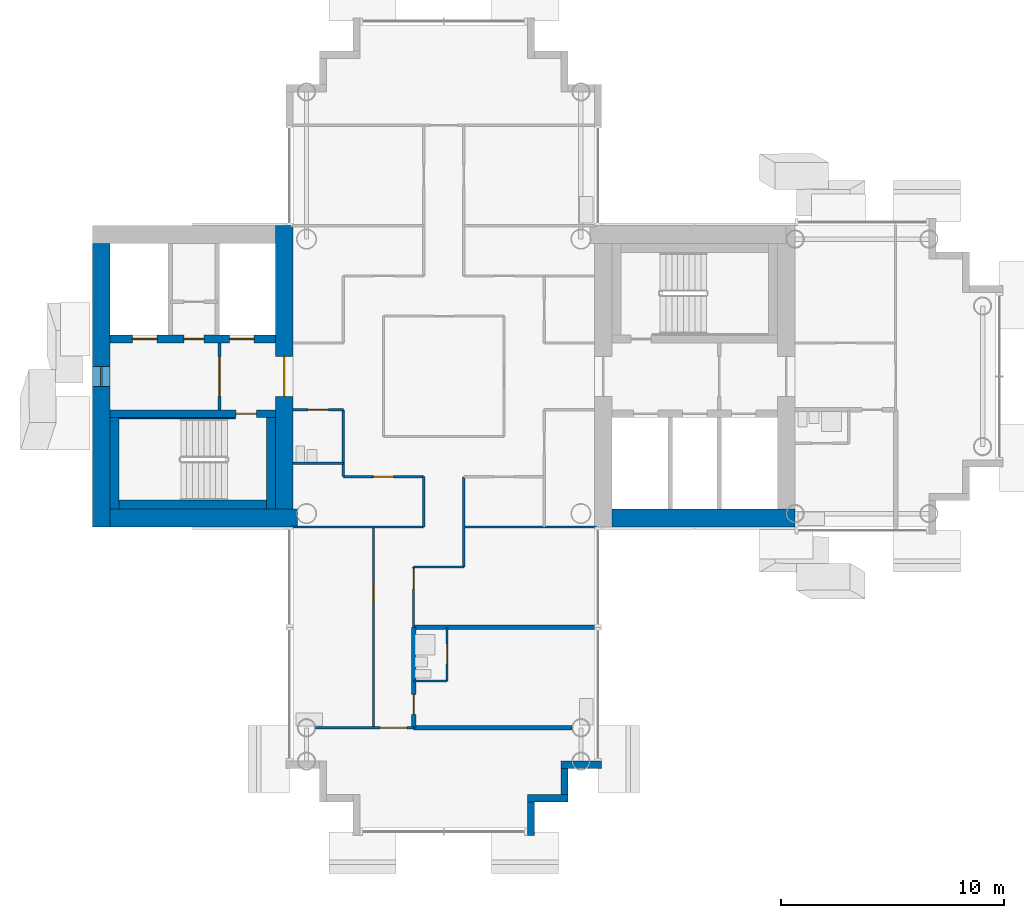
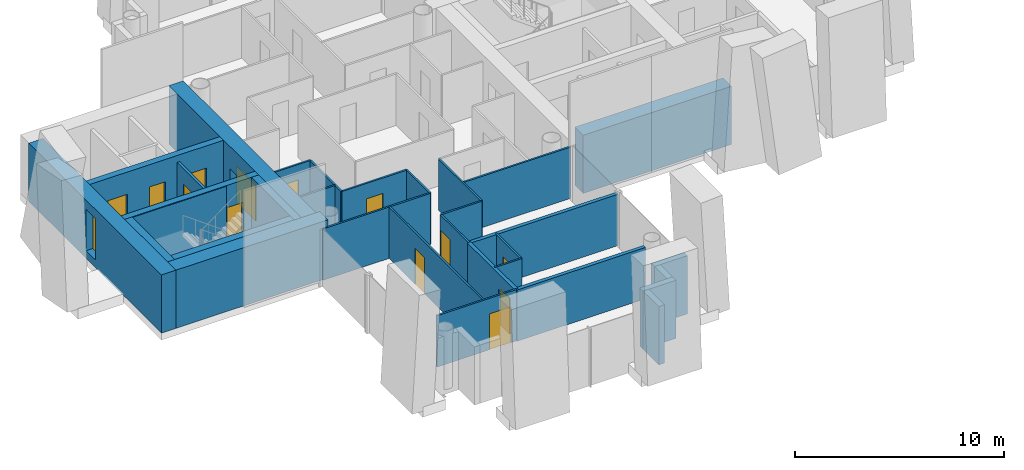
# One storey, part 6 of 18: 32 walls, 13 doors, 1 window, 14 openings.
"""IFC4 building model written with IfcOpenShell, lengths in metres."""

import ifcopenshell
import ifcopenshell.guid

model = None  # the IFC model being written
_history = None  # IfcOwnerHistory: only IFC2X3 demands one
_inside = {}  # id of a spatial element -> (the spatial element, [elements in it])
_under = {}  # id of a project, library or spatial element -> (it, [spatial elements below it])
_declared = {}  # id of a project -> (the project, [libraries it declares])
_typed = {}  # id of a type object -> (the type object, [elements of that type])
_made_of = {}  # id of a material, layer set ... -> (it, [elements and type objects made of it])


def new_model(schema):
    """Start an empty IFC model of exactly this schema.

    Asked for "IFC4X3", IfcOpenShell would pick the latest addendum, in which some entities
    have other attributes; the version numbers below select the first issue.
    IFC2X3 requires an IfcOwnerHistory on every rooted entity: one is made here for all.
    """
    global model, _history
    if schema == "IFC4X3":
        model = ifcopenshell.file(schema_version=(4, 3, 0, 0))
    else:
        model = ifcopenshell.file(schema=schema)
    _inside.clear()
    _under.clear()
    _declared.clear()
    _typed.clear()
    _made_of.clear()
    _history = None
    if model.schema == "IFC2X3":
        org = make("IfcOrganization", Name="unknown")
        user = make(
            "IfcPersonAndOrganization",
            ThePerson=make("IfcPerson", FamilyName="unknown"),
            TheOrganization=org,
        )
        app = make(
            "IfcApplication",
            ApplicationDeveloper=org,
            Version="unknown",
            ApplicationFullName="unknown",
            ApplicationIdentifier="unknown",
        )
        _history = make(
            "IfcOwnerHistory",
            OwningUser=user,
            OwningApplication=app,
            ChangeAction="ADDED",
            CreationDate=0,
        )
    return model


def make(cls, **values):
    """One entity of the class cls with the attributes given. An attribute that is None is left unset."""
    return model.create_entity(
        cls, **{name: value for name, value in values.items() if value is not None}
    )


def rooted(cls, **values):
    """An entity with a GlobalId (a new one), such as an element, a storey or a relation."""
    return make(cls, GlobalId=ifcopenshell.guid.new(), OwnerHistory=_history, **values)


def si_unit(unit_type, name, prefix=None):
    """IfcSIUnit, for example si_unit("LENGTHUNIT", "METRE", prefix="MILLI")."""
    return make("IfcSIUnit", UnitType=unit_type, Prefix=prefix, Name=name)


def assignment(units):
    """IfcUnitAssignment: the units of a project."""
    return None if units is None else make("IfcUnitAssignment", Units=units)


def point(xyz):
    """IfcCartesianPoint."""
    return None if xyz is None else make("IfcCartesianPoint", Coordinates=xyz)


def direction(xyz):
    """IfcDirection."""
    return None if xyz is None else make("IfcDirection", DirectionRatios=xyz)


def frame(location, z_axis=None, x_axis=None):
    """IfcAxis2Placement3D, a coordinate frame: its origin and axes. An axis left out is left unset."""
    return make(
        "IfcAxis2Placement3D",
        Location=point(location),
        Axis=direction(z_axis),
        RefDirection=direction(x_axis),
    )


def frame_2d(location, x_axis=None):
    """IfcAxis2Placement2D, a coordinate frame in the plane: its origin and x axis."""
    return make(
        "IfcAxis2Placement2D", Location=point(location), RefDirection=direction(x_axis)
    )


def origin():
    """The frame at (0, 0, 0) with its axes left unset."""
    return frame((0.0, 0.0, 0.0))


def place(relative_to, where):
    """IfcLocalPlacement: puts the frame where relative to a parent placement (None: the world)."""
    return make(
        "IfcLocalPlacement", PlacementRelTo=relative_to, RelativePlacement=where
    )


def context(
    kind, dimensions, precision=None, world=None, true_north=None, identifier=None
):
    """IfcGeometricRepresentationContext, for example the 3D "Model" context."""
    return make(
        "IfcGeometricRepresentationContext",
        ContextIdentifier=identifier,
        ContextType=kind,
        CoordinateSpaceDimension=dimensions,
        Precision=precision,
        WorldCoordinateSystem=world,
        TrueNorth=true_north,
    )


def subcontext(parent, identifier, kind, view, scale=None):
    """IfcGeometricRepresentationSubContext, for example "Body" below "Model"."""
    return make(
        "IfcGeometricRepresentationSubContext",
        ContextIdentifier=identifier,
        ContextType=kind,
        ParentContext=parent,
        TargetScale=scale,
        TargetView=view,
    )


def project(units=None, contexts=None):
    """IfcProject with its units and contexts."""
    return rooted(
        "IfcProject",
        Name="project",
        RepresentationContexts=contexts,
        UnitsInContext=assignment(units),
    )


def spatial(cls, under=None, at=None, **own):
    """A site, building, storey or space (cls), placed at a placement, below another one or the project."""
    s = rooted(cls, ObjectPlacement=at, **own)
    if under is not None:
        _under.setdefault(under.id(), (under, []))[1].append(s)
    return s


def profile(cls, at=None, kind="AREA", **sizes):
    """A parametric profile (cls). Its sizes go by their IFC names, for example OverallWidth=200.0."""
    return make(cls, ProfileType=kind, Position=at, **sizes)


def rectangle(**sizes):
    """IfcRectangleProfileDef."""
    return profile("IfcRectangleProfileDef", **sizes)


def extrude(swept, where, along, depth):
    """IfcExtrudedAreaSolid: the profile swept, set in the frame where, extruded along a direction by depth."""
    return make(
        "IfcExtrudedAreaSolid",
        SweptArea=swept,
        Position=where,
        ExtrudedDirection=direction(along),
        Depth=depth,
    )


def shape(context_of_items, identifier, shape_type, items):
    """IfcShapeRepresentation: the items that make up one representation, for example the "Body"."""
    return make(
        "IfcShapeRepresentation",
        ContextOfItems=context_of_items,
        RepresentationIdentifier=identifier,
        RepresentationType=shape_type,
        Items=items,
    )


def material(Name=None, Category=None):
    """IfcMaterial."""
    return make("IfcMaterial", Name=Name, Category=Category)


def layer(
    of_material, thickness, ventilated=None, Name=None, Category=None, Priority=None
):
    """IfcMaterialLayer: one layer of a wall or slab, of a material (None: an air gap)."""
    return make(
        "IfcMaterialLayer",
        Material=of_material,
        LayerThickness=thickness,
        IsVentilated=ventilated,
        Name=Name,
        Category=Category,
        Priority=Priority,
    )


def layer_set(layers, Name=None):
    """IfcMaterialLayerSet."""
    return make("IfcMaterialLayerSet", MaterialLayers=layers, LayerSetName=Name)


def made_of(thing, what):
    """Note that an element or type object is made of a material, layer set ...; save() writes the relation."""
    if what is not None:
        _made_of.setdefault(what.id(), (what, []))[1].append(thing)
    return thing


def type_object(cls, material=None, **own):
    """A type object (cls), such as IfcWallType, which elements share."""
    return made_of(rooted(cls, **own), material)


def element(
    cls,
    number,
    at=None,
    inside=None,
    cuts=None,
    type_object=None,
    material=None,
    context=None,
    identifier="Body",
    shape_type=None,
    held_by="IfcProductDefinitionShape",
    body=None,
    shapes=None,
    **own,
):
    """One element of the class cls, such as IfcWall. Its Tag is "e" and its number.

    at: its placement. inside: the storey or other place that contains it. cuts: it is an
    opening in that element (IfcRelVoidsElement). A single representation is given by context,
    identifier, shape_type and body (its items); several are given by shapes. held_by: the class
    of the entity that holds the representations. save() writes the other relations.
    """
    e = rooted(cls, Tag="e%d" % number, ObjectPlacement=at, **own)
    if body is not None:
        shapes = [shape(context, identifier, shape_type, body)]
    if shapes is not None:
        e.Representation = make(held_by, Representations=shapes)
    if inside is not None:
        _inside.setdefault(inside.id(), (inside, []))[1].append(e)
    if cuts is not None:
        rooted(
            "IfcRelVoidsElement", RelatingBuildingElement=cuts, RelatedOpeningElement=e
        )
    if type_object is not None:
        _typed.setdefault(type_object.id(), (type_object, []))[1].append(e)
    return made_of(e, material)


def fill(opening, filler):
    """IfcRelFillsElement: the door or window that sits in an opening."""
    return rooted(
        "IfcRelFillsElement",
        RelatingOpeningElement=opening,
        RelatedBuildingElement=filler,
    )


def aggregate(whole, parts):
    """IfcRelAggregates: a whole, such as a stair, and the parts it consists of."""
    return rooted("IfcRelAggregates", RelatingObject=whole, RelatedObjects=parts)


def save(model, path):
    """Write the relations noted so far, then the file.

    IfcRelAggregates (storeys below a building ...), IfcRelContainedInSpatialStructure (elements
    in a storey), IfcRelDefinesByType, IfcRelAssociatesMaterial and IfcRelDeclares: one each for
    every whole, place, type object, material and project.
    """
    for whole, parts in _under.values():
        aggregate(whole, parts)
    for where, things in _inside.values():
        rooted(
            "IfcRelContainedInSpatialStructure",
            RelatedElements=things,
            RelatingStructure=where,
        )
    for kind, things in _typed.values():
        rooted("IfcRelDefinesByType", RelatedObjects=things, RelatingType=kind)
    for what, things in _made_of.values():
        rooted("IfcRelAssociatesMaterial", RelatedObjects=things, RelatingMaterial=what)
    for by, libraries in _declared.values():
        rooted("IfcRelDeclares", RelatingContext=by, RelatedDefinitions=libraries)
    model.write(path)


model = new_model("IFC4")

# Units and contexts
model_context = context("Model", 3, precision=1e-05, world=origin(), true_north=direction((0.0, 1.0)))
body_context = subcontext(model_context, "Body", "Model", "MODEL_VIEW")
ifc_project = project(units=[si_unit("LENGTHUNIT", "METRE"), si_unit("AREAUNIT", "SQUARE_METRE"), si_unit("VOLUMEUNIT", "CUBIC_METRE"), si_unit("PLANEANGLEUNIT", "RADIAN"), si_unit("MASSUNIT", "GRAM", prefix="KILO")], contexts=[model_context])

# Site, building, storey
site_placement = place(None, origin())
site = spatial("IfcSite", under=ifc_project, at=site_placement, CompositionType="ELEMENT")
building_placement = place(site_placement, origin())
building = spatial("IfcBuilding", under=site, at=building_placement, Name="Ipe Terrace Towers", CompositionType="ELEMENT")
storey_placement = place(building_placement, frame((0.0, 0.0, 143.89990234375)))
storey = spatial("IfcBuildingStorey", under=building, at=storey_placement, Name="L39", CompositionType="ELEMENT", Elevation=143.89990234375)

# Walls
ifc_material_1 = material(Name="Concrete C40/50 with buff precast cladding", Category="concrete")
ifc_layer_1 = layer(ifc_material_1, 0.320068359375)
ifc_layer_set_1 = layer_set([ifc_layer_1], Name="BUFF CLADDING WALL 320")
wall_type_1 = type_object("IfcWallType", Name="BUFF CLADDING WALL 320", PredefinedType="STANDARD", material=ifc_layer_set_1)
wall_1_placement = place(storey_placement, frame((-32.090087890625, -20.570068359375, -0.2998046875), z_axis=(0.0, 0.0, 1.0), x_axis=(0.0, 1.0, 0.0)))
element("IfcWall", 1, at=wall_1_placement, inside=storey, type_object=wall_type_1, Name="T1-W-L39-09a wall", PredefinedType="STANDARD", context=body_context, shape_type="SweptSolid", body=[
    extrude(rectangle(XDim=1.5, YDim=0.320068359375, at=frame_2d((0.75, 0.0))), origin(), (0.0, 0.0, 1.0), 3.39990234375),
])
wall_2_placement = place(storey_placement, frame((-32.25, -18.909912109375, -0.2998046875), z_axis=(0.0, 0.0, 1.0), x_axis=(1.0, 0.0, 0.0)))
element("IfcWall", 2, at=wall_2_placement, inside=storey, type_object=wall_type_1, Name="T1-W-L39-10a wall", PredefinedType="STANDARD", context=body_context, shape_type="SweptSolid", body=[
    extrude(rectangle(XDim=1.820068359375, YDim=0.320068359375, at=frame_2d((0.91015625, 0.0))), origin(), (0.0, 0.0, 1.0), 3.39990234375),
])
wall_3_placement = place(storey_placement, frame((-30.590087890625, -18.75, -0.2998046875), z_axis=(0.0, 0.0, 1.0), x_axis=(0.0, 1.0, 0.0)))
element("IfcWall", 3, at=wall_3_placement, inside=storey, type_object=wall_type_1, Name="T1-W-L39-11a wall", PredefinedType="STANDARD", context=body_context, shape_type="SweptSolid", body=[
    extrude(rectangle(XDim=1.179931640625, YDim=0.320068359375, at=frame_2d((0.58984375, 0.0))), origin(), (0.0, 0.0, 1.0), 3.39990234375),
])
wall_4_placement = place(storey_placement, frame((-30.75, -17.409912109375, -0.2998046875), z_axis=(0.0, 0.0, 1.0), x_axis=(1.0, 0.0, 0.0)))
element("IfcWall", 4, at=wall_4_placement, inside=storey, type_object=wall_type_1, Name="T1-W-L39-12a wall", PredefinedType="STANDARD", context=body_context, shape_type="SweptSolid", body=[
    extrude(rectangle(XDim=1.820068359375, YDim=0.320068359375, at=frame_2d((0.91015625, 0.0))), origin(), (0.0, 0.0, 1.0), 3.39990234375),
])
ifc_material_2 = material(Name="Gypsum board partition", Category="plasterboard")
ifc_layer_2 = layer(ifc_material_2, 0.10009765625)
ifc_layer_set_2 = layer_set([ifc_layer_2], Name="Gypsum board partition 100 mm")
wall_type_2 = type_object("IfcWallType", Name="Gypsum board partition 100 mm", PredefinedType="PARTITIONING", material=ifc_layer_set_2)
wall_5_placement = place(storey_placement, frame((-40.5, -4.5, 0.0), z_axis=(0.0, 0.0, 1.0), x_axis=(0.0, 1.0, 0.0)))
element("IfcWall", 5, at=wall_5_placement, inside=storey, type_object=wall_type_2, Name="Gypsum board partition T1 L39 W01", PredefinedType="PARTITIONING", context=body_context, shape_type="SweptSolid", body=[
    extrude(rectangle(XDim=3.0, YDim=0.10009765625, at=frame_2d((1.5, 0.0))), origin(), (0.0, 0.0, 1.0), 3.0),
])

# Wall, opening, door
wall_6_placement = place(storey_placement, frame((-39.14990234375, -15.75, 0.0), z_axis=(0.0, 0.0, 1.0), x_axis=(0.0, 1.0, 0.0)))
wall_6 = element("IfcWall", 6, at=wall_6_placement, inside=storey, type_object=wall_type_2, Name="Gypsum board partition T1 L39 W03", PredefinedType="PARTITIONING", context=body_context, shape_type="SweptSolid", body=[
    extrude(rectangle(XDim=9.0, YDim=0.10009765625, at=frame_2d((4.5, 0.0))), origin(), (0.0, 0.0, 1.0), 3.0),
])
opening_1_placement = place(wall_6_placement, frame((5.550048828125, 0.0, 0.0)))
opening_1 = element("IfcOpeningElement", 7, at=opening_1_placement, cuts=wall_6, Name="Opening T1-Z3B-16", PredefinedType="OPENING", context=body_context, shape_type="SweptSolid", body=[
    extrude(rectangle(XDim=0.89990234375, YDim=2.10009765625, at=frame_2d((0.449951171875, 1.050048828125))), frame((0.0, 0.06005859375, 0.0), z_axis=(0.0, -1.0, 0.0), x_axis=(1.0, 0.0, 0.0)), (0.0, 0.0, 1.0), 0.1201171875),
])
ifc_material_3 = material(Name="Timber door leaf", Category="wood")
door_type_1 = type_object("IfcDoorType", Name="Lounge door 900 x 2100", OperationType="NOTDEFINED", PredefinedType="DOOR", material=ifc_material_3)
door_1_placement = place(opening_1_placement, origin())
door_1 = element("IfcDoor", 8, at=door_1_placement, inside=storey, type_object=door_type_1, Name="Lounge door T1-Z3B-16", OperationType="SINGLE_SWING_LEFT", OverallHeight=2.10009765625, OverallWidth=0.89990234375, PredefinedType="DOOR", context=body_context, shape_type="SweptSolid", body=[
    extrude(rectangle(XDim=0.89990234375, YDim=2.10009765625, at=frame_2d((0.449951171875, 1.050048828125))), frame((0.0, 0.02490234375, 0.0), z_axis=(0.0, -1.0, 0.0), x_axis=(1.0, 0.0, 0.0)), (0.0, 0.0, 1.0), 0.050048828125),
])
fill(opening_1, door_1)

wall_7_placement = place(storey_placement, frame((-37.35009765625, -11.25, 0.0), z_axis=(0.0, 0.0, 1.0), x_axis=(0.0, 1.0, 0.0)))
wall_7 = element("IfcWall", 9, at=wall_7_placement, inside=storey, type_object=wall_type_2, Name="Gypsum board partition T1 L39 W05", PredefinedType="PARTITIONING", context=body_context, shape_type="SweptSolid", body=[
    extrude(rectangle(XDim=2.699951171875, YDim=0.10009765625, at=frame_2d((1.35009765625, 0.0))), origin(), (0.0, 0.0, 1.0), 3.0),
])
opening_2_placement = place(wall_7_placement, frame((1.72998046875, 0.0, 0.0)))
opening_2 = element("IfcOpeningElement", 10, at=opening_2_placement, cuts=wall_7, Name="Opening T1-Z3B-13", PredefinedType="OPENING", context=body_context, shape_type="SweptSolid", body=[
    extrude(rectangle(XDim=0.89990234375, YDim=2.10009765625, at=frame_2d((0.449951171875, 1.050048828125))), frame((0.0, 0.06005859375, 0.0), z_axis=(0.0, -1.0, 0.0), x_axis=(1.0, 0.0, 0.0)), (0.0, 0.0, 1.0), 0.1201171875),
])
door_2_placement = place(opening_2_placement, origin())
door_2 = element("IfcDoor", 11, at=door_2_placement, inside=storey, type_object=door_type_1, Name="Lounge door T1-Z3B-13", OperationType="SINGLE_SWING_RIGHT", OverallHeight=2.10009765625, OverallWidth=0.89990234375, PredefinedType="DOOR", context=body_context, shape_type="SweptSolid", body=[
    extrude(rectangle(XDim=0.89990234375, YDim=2.10009765625, at=frame_2d((0.449951171875, 1.050048828125))), frame((0.0, 0.02490234375, 0.0), z_axis=(0.0, -1.0, 0.0), x_axis=(1.0, 0.0, 0.0)), (0.0, 0.0, 1.0), 0.050048828125),
])
fill(opening_2, door_2)

# Wall
wall_8_placement = place(storey_placement, frame((-36.89990234375, -6.75, 0.0), z_axis=(0.0, 0.0, 1.0), x_axis=(0.0, 1.0, 0.0)))
element("IfcWall", 12, at=wall_8_placement, inside=storey, type_object=wall_type_2, Name="Gypsum board partition T1 L39 W07", PredefinedType="PARTITIONING", context=body_context, shape_type="SweptSolid", body=[
    extrude(rectangle(XDim=2.25, YDim=0.10009765625, at=frame_2d((1.125, 0.0))), origin(), (0.0, 0.0, 1.0), 3.0),
])

# Wall, opening, door
wall_9_placement = place(storey_placement, frame((-35.85009765625, -13.64990234375, 0.0), z_axis=(0.0, 0.0, 1.0), x_axis=(0.0, 1.0, 0.0)))
wall_9 = element("IfcWall", 13, at=wall_9_placement, inside=storey, type_object=wall_type_2, Name="Gypsum board partition T1 L39 W09", PredefinedType="PARTITIONING", context=body_context, shape_type="SweptSolid", body=[
    extrude(rectangle(XDim=2.39990234375, YDim=0.10009765625, at=frame_2d((1.199951171875, 0.0))), origin(), (0.0, 0.0, 1.0), 3.0),
])
opening_3_placement = place(wall_9_placement, frame((0.75, 0.0, 0.0)))
opening_3 = element("IfcOpeningElement", 14, at=opening_3_placement, cuts=wall_9, Name="Opening T1-Z3B-15", PredefinedType="OPENING", context=body_context, shape_type="SweptSolid", body=[
    extrude(rectangle(XDim=0.89990234375, YDim=2.10009765625, at=frame_2d((0.449951171875, 1.050048828125))), frame((0.0, 0.06005859375, 0.0), z_axis=(0.0, -1.0, 0.0), x_axis=(1.0, 0.0, 0.0)), (0.0, 0.0, 1.0), 0.1201171875),
])
ifc_material_4 = material(Name="Timber door leaf", Category="wood")
door_type_2 = type_object("IfcDoorType", Name="Bathroom door 900 x 2100", OperationType="NOTDEFINED", PredefinedType="DOOR", material=ifc_material_4)
door_3_placement = place(opening_3_placement, origin())
door_3 = element("IfcDoor", 15, at=door_3_placement, inside=storey, type_object=door_type_2, Name="Bathroom door T1-Z3B-15", OperationType="SINGLE_SWING_LEFT", OverallHeight=2.10009765625, OverallWidth=0.89990234375, PredefinedType="DOOR", context=body_context, shape_type="SweptSolid", body=[
    extrude(rectangle(XDim=0.89990234375, YDim=2.10009765625, at=frame_2d((0.449951171875, 1.050048828125))), frame((0.0, 0.02490234375, 0.0), z_axis=(0.0, -1.0, 0.0), x_axis=(1.0, 0.0, 0.0)), (0.0, 0.0, 1.0), 0.050048828125),
])
fill(opening_3, door_3)

# Wall
wall_10_placement = place(storey_placement, frame((-35.10009765625, -8.550048828125, 0.0), z_axis=(0.0, 0.0, 1.0), x_axis=(0.0, 1.0, 0.0)))
element("IfcWall", 16, at=wall_10_placement, inside=storey, type_object=wall_type_2, Name="Gypsum board partition T1 L39 W10", PredefinedType="PARTITIONING", context=body_context, shape_type="SweptSolid", body=[
    extrude(rectangle(XDim=4.050048828125, YDim=0.10009765625, at=frame_2d((2.02490234375, 0.0))), origin(), (0.0, 0.0, 1.0), 3.0),
])

# Wall, opening, door
wall_11_placement = place(storey_placement, frame((-41.75, -15.75, 0.0), z_axis=(0.0, 0.0, 1.0), x_axis=(1.0, 0.0, 0.0)))
wall_11 = element("IfcWall", 17, at=wall_11_placement, inside=storey, type_object=wall_type_2, Name="Gypsum board partition T1 L39 W18", PredefinedType="PARTITIONING", context=body_context, shape_type="SweptSolid", body=[
    extrude(rectangle(XDim=4.39990234375, YDim=0.10009765625, at=frame_2d((2.199951171875, 0.0))), origin(), (0.0, 0.0, 1.0), 3.0),
])
opening_4_placement = place(wall_11_placement, frame((2.89990234375, 0.0, 0.0)))
opening_4 = element("IfcOpeningElement", 18, at=opening_4_placement, cuts=wall_11, Name="Opening T1-Z3B-17", PredefinedType="OPENING", context=body_context, shape_type="SweptSolid", body=[
    extrude(rectangle(XDim=1.199951171875, YDim=2.10009765625, at=frame_2d((0.60009765625, 1.050048828125))), frame((0.0, 0.06005859375, 0.0), z_axis=(0.0, -1.0, 0.0), x_axis=(1.0, 0.0, 0.0)), (0.0, 0.0, 1.0), 0.1201171875),
])
ifc_material_5 = material(Name="Timber door leaf", Category="wood")
door_type_3 = type_object("IfcDoorType", Name="Lounge door 1200 x 2100", OperationType="NOTDEFINED", PredefinedType="DOOR", material=ifc_material_5)
door_4_placement = place(opening_4_placement, origin())
door_4 = element("IfcDoor", 19, at=door_4_placement, inside=storey, type_object=door_type_3, Name="Lounge door T1-Z3B-17", OperationType="SINGLE_SWING_RIGHT", OverallHeight=2.10009765625, OverallWidth=1.199951171875, PredefinedType="DOOR", context=body_context, shape_type="SweptSolid", body=[
    extrude(rectangle(XDim=1.199951171875, YDim=2.10009765625, at=frame_2d((0.60009765625, 1.050048828125))), frame((0.0, 0.02490234375, 0.0), z_axis=(0.0, -1.0, 0.0), x_axis=(1.0, 0.0, 0.0)), (0.0, 0.0, 1.0), 0.050048828125),
])
fill(opening_4, door_4)

# Walls
wall_12_placement = place(storey_placement, frame((-37.35009765625, -13.64990234375, 0.0), z_axis=(0.0, 0.0, 1.0), x_axis=(1.0, 0.0, 0.0)))
element("IfcWall", 20, at=wall_12_placement, inside=storey, type_object=wall_type_2, Name="Gypsum board partition T1 L39 W20", PredefinedType="PARTITIONING", context=body_context, shape_type="SweptSolid", body=[
    extrude(rectangle(XDim=1.5, YDim=0.10009765625, at=frame_2d((0.75, 0.0))), origin(), (0.0, 0.0, 1.0), 3.0),
])
wall_13_placement = place(storey_placement, frame((-37.35009765625, -8.550048828125, 0.0), z_axis=(0.0, 0.0, 1.0), x_axis=(1.0, 0.0, 0.0)))
element("IfcWall", 21, at=wall_13_placement, inside=storey, type_object=wall_type_2, Name="Gypsum board partition T1 L39 W22", PredefinedType="PARTITIONING", context=body_context, shape_type="SweptSolid", body=[
    extrude(rectangle(XDim=2.25, YDim=0.10009765625, at=frame_2d((1.125, 0.0))), origin(), (0.0, 0.0, 1.0), 3.0),
])
for number, where, z_axis, x_axis, name in (
    (22, (-42.85009765625, -6.75, 0.0), (0.0, 0.0, 1.0), (1.0, 0.0, 0.0), "Gypsum board partition T1 L39 W23"),
    (23, (-35.10009765625, -6.75, 0.0), (0.0, 0.0, 1.0), (1.0, 0.0, 0.0), "Gypsum board partition T1 L39 W24"),
):
    element("IfcWall", number, at=place(storey_placement, frame(where, z_axis=z_axis, x_axis=x_axis)), inside=storey, type_object=wall_type_2, Name=name, PredefinedType="PARTITIONING", context=body_context, shape_type="SweptSolid", body=[
        extrude(rectangle(XDim=5.9501953125, YDim=0.10009765625, at=frame_2d((2.97509765625, 0.0))), origin(), (0.0, 0.0, 1.0), 3.0),
    ])

# Wall, opening, door
wall_14_placement = place(storey_placement, frame((-40.5, -4.5, 0.0), z_axis=(0.0, 0.0, 1.0), x_axis=(1.0, 0.0, 0.0)))
wall_14 = element("IfcWall", 24, at=wall_14_placement, inside=storey, type_object=wall_type_2, Name="Gypsum board partition T1 L39 W25", PredefinedType="PARTITIONING", context=body_context, shape_type="SweptSolid", body=[
    extrude(rectangle(XDim=3.60009765625, YDim=0.10009765625, at=frame_2d((1.800048828125, 0.0))), origin(), (0.0, 0.0, 1.0), 3.0),
])
opening_5_placement = place(wall_14_placement, frame((1.35009765625, 0.0, 0.0)))
opening_5 = element("IfcOpeningElement", 25, at=opening_5_placement, cuts=wall_14, Name="Opening T1-Z3B-07", PredefinedType="OPENING", context=body_context, shape_type="SweptSolid", body=[
    extrude(rectangle(XDim=0.89990234375, YDim=2.10009765625, at=frame_2d((0.449951171875, 1.050048828125))), frame((0.0, 0.06005859375, 0.0), z_axis=(0.0, -1.0, 0.0), x_axis=(1.0, 0.0, 0.0)), (0.0, 0.0, 1.0), 0.1201171875),
])
door_5_placement = place(opening_5_placement, origin())
door_5 = element("IfcDoor", 26, at=door_5_placement, inside=storey, type_object=door_type_1, Name="Lounge door T1-Z3B-07", OperationType="SINGLE_SWING_LEFT", OverallHeight=2.10009765625, OverallWidth=0.89990234375, PredefinedType="DOOR", context=body_context, shape_type="SweptSolid", body=[
    extrude(rectangle(XDim=0.89990234375, YDim=2.10009765625, at=frame_2d((0.449951171875, 1.050048828125))), frame((0.0, 0.02490234375, 0.0), z_axis=(0.0, -1.0, 0.0), x_axis=(1.0, 0.0, 0.0)), (0.0, 0.0, 1.0), 0.050048828125),
])
fill(opening_5, door_5)

# Wall
wall_15_placement = place(storey_placement, frame((-42.75, -3.89990234375, 0.0), z_axis=(0.0, 0.0, 1.0), x_axis=(1.0, 0.0, 0.0)))
element("IfcWall", 27, at=wall_15_placement, inside=storey, type_object=wall_type_2, Name="Gypsum board partition T1 L39 W27", PredefinedType="PARTITIONING", context=body_context, shape_type="SweptSolid", body=[
    extrude(rectangle(XDim=2.25, YDim=0.10009765625, at=frame_2d((1.125, 0.0))), origin(), (0.0, 0.0, 1.0), 3.0),
])

# Wall, opening, door
wall_16_placement = place(storey_placement, frame((-42.75, -1.5, 0.0), z_axis=(0.0, 0.0, 1.0), x_axis=(1.0, 0.0, 0.0)))
wall_16 = element("IfcWall", 28, at=wall_16_placement, inside=storey, type_object=wall_type_2, Name="Gypsum board partition T1 L39 W30", PredefinedType="PARTITIONING", context=body_context, shape_type="SweptSolid", body=[
    extrude(rectangle(XDim=2.25, YDim=0.10009765625, at=frame_2d((1.125, 0.0))), origin(), (0.0, 0.0, 1.0), 3.0),
])
opening_6_placement = place(wall_16_placement, frame((0.675048828125, 0.0, 0.0)))
opening_6 = element("IfcOpeningElement", 29, at=opening_6_placement, cuts=wall_16, Name="Opening T1-Z3B-03", PredefinedType="OPENING", context=body_context, shape_type="SweptSolid", body=[
    extrude(rectangle(XDim=0.89990234375, YDim=2.10009765625, at=frame_2d((0.449951171875, 1.050048828125))), frame((0.0, 0.06005859375, 0.0), z_axis=(0.0, -1.0, 0.0), x_axis=(1.0, 0.0, 0.0)), (0.0, 0.0, 1.0), 0.1201171875),
])
door_6_placement = place(opening_6_placement, origin())
door_6 = element("IfcDoor", 30, at=door_6_placement, inside=storey, type_object=door_type_2, Name="Bathroom door T1-Z3B-03", OperationType="SINGLE_SWING_RIGHT", OverallHeight=2.10009765625, OverallWidth=0.89990234375, PredefinedType="DOOR", context=body_context, shape_type="SweptSolid", body=[
    extrude(rectangle(XDim=0.89990234375, YDim=2.10009765625, at=frame_2d((0.449951171875, 1.050048828125))), frame((0.0, 0.02490234375, 0.0), z_axis=(0.0, -1.0, 0.0), x_axis=(1.0, 0.0, 0.0)), (0.0, 0.0, 1.0), 0.050048828125),
])
fill(opening_6, door_6)

ifc_material_6 = material(Name="Gypsum board partition", Category="plasterboard")
ifc_layer_3 = layer(ifc_material_6, 0.14990234375)
ifc_layer_set_3 = layer_set([ifc_layer_3], Name="Gypsum board partition 150 mm")
wall_type_3 = type_object("IfcWallType", Name="Gypsum board partition 150 mm", PredefinedType="PARTITIONING", material=ifc_layer_set_3)
wall_17_placement = place(storey_placement, frame((-46.050048828125, 1.5, 0.0), z_axis=(0.0, 0.0, 1.0), x_axis=(0.0, -1.0, 0.0)))
wall_17 = element("IfcWall", 31, at=wall_17_placement, inside=storey, type_object=wall_type_3, Name="Gypsum board partition T1 L39 t1c2-lobby-wall", PredefinedType="PARTITIONING", context=body_context, shape_type="SweptSolid", body=[
    extrude(rectangle(XDim=3.0, YDim=0.14990234375, at=frame_2d((1.5, 0.0))), origin(), (0.0, 0.0, 1.0), 3.0),
])
opening_7_placement = place(wall_17_placement, frame((0.60009765625, 0.0, 0.0)))
opening_7 = element("IfcOpeningElement", 32, at=opening_7_placement, cuts=wall_17, Name="Opening T1C2-VD", PredefinedType="OPENING", context=body_context, shape_type="SweptSolid", body=[
    extrude(rectangle(XDim=1.800048828125, YDim=2.10009765625, at=frame_2d((0.89990234375, 1.050048828125))), frame((0.0, 0.0849609375, 0.0), z_axis=(0.0, -1.0, 0.0), x_axis=(1.0, 0.0, 0.0)), (0.0, 0.0, 1.0), 0.169921875),
])
ifc_material_7 = material(Name="Fire-rated timber door leaf", Category="wood")
door_type_4 = type_object("IfcDoorType", Name="Lobby door 1800 x 2100 FD60", OperationType="NOTDEFINED", PredefinedType="DOOR", material=ifc_material_7)
door_7_placement = place(opening_7_placement, origin())
door_7 = element("IfcDoor", 33, at=door_7_placement, inside=storey, type_object=door_type_4, Name="Lobby door T1C2-VD", OperationType="SINGLE_SWING_LEFT", OverallHeight=2.10009765625, OverallWidth=1.800048828125, PredefinedType="DOOR", context=body_context, shape_type="SweptSolid", body=[
    extrude(rectangle(XDim=1.800048828125, YDim=2.10009765625, at=frame_2d((0.89990234375, 1.050048828125))), frame((0.0, 0.02490234375, 0.0), z_axis=(0.0, -1.0, 0.0), x_axis=(1.0, 0.0, 0.0)), (0.0, 0.0, 1.0), 0.050048828125),
])
fill(opening_7, door_7)

ifc_material_8 = material(Name="Gypsum board party wall", Category="plasterboard")
ifc_layer_4 = layer(ifc_material_8, 0.199951171875)
ifc_layer_set_4 = layer_set([ifc_layer_4], Name="Gypsum board party wall 200 mm")
wall_type_4 = type_object("IfcWallType", Name="Gypsum board party wall 200 mm", PredefinedType="SOLIDWALL", material=ifc_layer_set_4)
wall_18_placement = place(storey_placement, frame((-37.35009765625, -15.75, 0.0), z_axis=(0.0, 0.0, 1.0), x_axis=(0.0, 1.0, 0.0)))
wall_18 = element("IfcWall", 34, at=wall_18_placement, inside=storey, type_object=wall_type_4, Name="Gypsum board party wall T1 L39 W06", PredefinedType="SOLIDWALL", context=body_context, shape_type="SweptSolid", body=[
    extrude(rectangle(XDim=4.5, YDim=0.199951171875, at=frame_2d((2.25, 0.0))), origin(), (0.0, 0.0, 1.0), 3.0),
])
opening_8_placement = place(wall_18_placement, frame((0.60009765625, 0.0, 0.0)))
opening_8 = element("IfcOpeningElement", 35, at=opening_8_placement, cuts=wall_18, Name="Opening T1-Z3B-14", PredefinedType="OPENING", context=body_context, shape_type="SweptSolid", body=[
    extrude(rectangle(XDim=0.89990234375, YDim=2.10009765625, at=frame_2d((0.449951171875, 1.050048828125))), frame((0.0, 0.10986328125, 0.0), z_axis=(0.0, -1.0, 0.0), x_axis=(1.0, 0.0, 0.0)), (0.0, 0.0, 1.0), 0.219970703125),
])
ifc_material_9 = material(Name="Fire-rated timber door leaf", Category="wood")
door_type_5 = type_object("IfcDoorType", Name="Flat entrance door 900 x 2100 FD30S", OperationType="NOTDEFINED", PredefinedType="DOOR", material=ifc_material_9)
door_8_placement = place(opening_8_placement, origin())
door_8 = element("IfcDoor", 36, at=door_8_placement, inside=storey, type_object=door_type_5, Name="Flat entrance door T1-Z3B-14", OperationType="SINGLE_SWING_LEFT", OverallHeight=2.10009765625, OverallWidth=0.89990234375, PredefinedType="DOOR", context=body_context, shape_type="SweptSolid", body=[
    extrude(rectangle(XDim=0.89990234375, YDim=2.10009765625, at=frame_2d((0.449951171875, 1.050048828125))), frame((0.0, 0.02490234375, 0.0), z_axis=(0.0, -1.0, 0.0), x_axis=(1.0, 0.0, 0.0)), (0.0, 0.0, 1.0), 0.050048828125),
])
fill(opening_8, door_8)

# Walls
wall_19_placement = place(storey_placement, frame((-37.35009765625, -15.75, 0.0), z_axis=(0.0, 0.0, 1.0), x_axis=(1.0, 0.0, 0.0)))
element("IfcWall", 37, at=wall_19_placement, inside=storey, type_object=wall_type_4, Name="Gypsum board party wall T1 L39 W19", PredefinedType="SOLIDWALL", context=body_context, shape_type="SweptSolid", body=[
    extrude(rectangle(XDim=7.10009765625, YDim=0.199951171875, at=frame_2d((3.550048828125, 0.0))), origin(), (0.0, 0.0, 1.0), 3.0),
])
wall_20_placement = place(storey_placement, frame((-37.35009765625, -11.25, 0.0), z_axis=(0.0, 0.0, 1.0), x_axis=(1.0, 0.0, 0.0)))
element("IfcWall", 38, at=wall_20_placement, inside=storey, type_object=wall_type_4, Name="Gypsum board party wall T1 L39 W21", PredefinedType="SOLIDWALL", context=body_context, shape_type="SweptSolid", body=[
    extrude(rectangle(XDim=8.2001953125, YDim=0.199951171875, at=frame_2d((4.10009765625, 0.0))), origin(), (0.0, 0.0, 1.0), 3.0),
])

# Wall, opening, door
ifc_material_10 = material(Name="Concrete C50/60", Category="concrete")
ifc_layer_5 = layer(ifc_material_10, 0.35009765625)
ifc_layer_set_5 = layer_set([ifc_layer_5], Name="RW350 CORE SPINE WALL 350 C50-60")
wall_type_5 = type_object("IfcWallType", Name="RW350 CORE SPINE WALL 350 C50-60", PredefinedType="SHEAR", material=ifc_layer_set_5)
wall_21_placement = place(storey_placement, frame((-50.949951171875, -1.675048828125, 0.0), z_axis=(0.0, 0.0, 1.0), x_axis=(1.0, 0.0, 0.0)))
wall_21 = element("IfcWall", 39, at=wall_21_placement, inside=storey, type_object=wall_type_5, Name="Core spine wall T1-C2-Z3-SW1", PredefinedType="SHEAR", context=body_context, shape_type="SweptSolid", body=[
    extrude(rectangle(XDim=7.39990234375, YDim=0.35009765625, at=frame_2d((3.699951171875, 0.0))), origin(), (0.0, 0.0, 1.0), 3.400146484375),
])
opening_9_placement = place(wall_21_placement, frame((5.64990234375, 0.0, 0.0)))
opening_9 = element("IfcOpeningElement", 40, at=opening_9_placement, cuts=wall_21, Name="Opening T1C2-SD", PredefinedType="OPENING", context=body_context, shape_type="SweptSolid", body=[
    extrude(rectangle(XDim=0.89990234375, YDim=2.10009765625, at=frame_2d((0.449951171875, 1.050048828125))), frame((0.0, 0.18505859375, 0.0), z_axis=(0.0, -1.0, 0.0), x_axis=(1.0, 0.0, 0.0)), (0.0, 0.0, 1.0), 0.3701171875),
])
ifc_material_11 = material(Name="Fire-rated timber door leaf", Category="wood")
door_type_6 = type_object("IfcDoorType", Name="Stair door 900 x 2100 FD60", OperationType="NOTDEFINED", PredefinedType="DOOR", material=ifc_material_11)
door_9_placement = place(opening_9_placement, origin())
door_9 = element("IfcDoor", 41, at=door_9_placement, inside=storey, type_object=door_type_6, Name="Stair door T1C2-SD", OperationType="SINGLE_SWING_RIGHT", OverallHeight=2.10009765625, OverallWidth=0.89990234375, PredefinedType="DOOR", context=body_context, shape_type="SweptSolid", body=[
    extrude(rectangle(XDim=0.89990234375, YDim=2.10009765625, at=frame_2d((0.449951171875, 1.050048828125))), frame((0.0, 0.02490234375, 0.0), z_axis=(0.0, -1.0, 0.0), x_axis=(1.0, 0.0, 0.0)), (0.0, 0.0, 1.0), 0.050048828125),
])
fill(opening_9, door_9)

# Wall, openings, doors
wall_22_placement = place(storey_placement, frame((-50.949951171875, 1.675048828125, 0.0), z_axis=(0.0, 0.0, 1.0), x_axis=(1.0, 0.0, 0.0)))
wall_22 = element("IfcWall", 42, at=wall_22_placement, inside=storey, type_object=wall_type_5, Name="Core spine wall T1-C2-Z3-SW2", PredefinedType="SHEAR", context=body_context, shape_type="SweptSolid", body=[
    extrude(rectangle(XDim=7.39990234375, YDim=0.35009765625, at=frame_2d((3.699951171875, 0.0))), origin(), (0.0, 0.0, 1.0), 3.400146484375),
])
opening_10_placement = place(wall_22_placement, frame((5.35009765625, 0.0, 0.0)))
opening_10 = element("IfcOpeningElement", 43, at=opening_10_placement, cuts=wall_22, Name="Opening T1C2-LD1", PredefinedType="OPENING", context=body_context, shape_type="SweptSolid", body=[
    extrude(rectangle(XDim=1.10009765625, YDim=2.10009765625, at=frame_2d((0.550048828125, 1.050048828125))), frame((0.0, 0.18505859375, 0.0), z_axis=(0.0, -1.0, 0.0), x_axis=(1.0, 0.0, 0.0)), (0.0, 0.0, 1.0), 0.3701171875),
])
opening_11_placement = place(wall_22_placement, frame((1.0, 0.0, 0.0)))
opening_11 = element("IfcOpeningElement", 44, at=opening_11_placement, cuts=wall_22, Name="Opening T1C2-LD3", PredefinedType="OPENING", context=body_context, shape_type="SweptSolid", body=[
    extrude(rectangle(XDim=1.10009765625, YDim=2.10009765625, at=frame_2d((0.550048828125, 1.050048828125))), frame((0.0, 0.18505859375, 0.0), z_axis=(0.0, -1.0, 0.0), x_axis=(1.0, 0.0, 0.0)), (0.0, 0.0, 1.0), 0.3701171875),
])
opening_12_placement = place(wall_22_placement, frame((3.300048828125, 0.0, 0.0)))
opening_12 = element("IfcOpeningElement", 45, at=opening_12_placement, cuts=wall_22, Name="Opening T1C2-R1-NR", PredefinedType="OPENING", context=body_context, shape_type="SweptSolid", body=[
    extrude(rectangle(XDim=0.89990234375, YDim=2.10009765625, at=frame_2d((0.449951171875, 1.050048828125))), frame((0.0, 0.18505859375, 0.0), z_axis=(0.0, -1.0, 0.0), x_axis=(1.0, 0.0, 0.0)), (0.0, 0.0, 1.0), 0.3701171875),
])
ifc_material_12 = material(Name="Fire-rated timber door leaf", Category="wood")
door_type_7 = type_object("IfcDoorType", Name="Sliding door 1100 x 2100 FD60", OperationType="SLIDING_TO_LEFT", PredefinedType="DOOR", material=ifc_material_12)
door_10_placement = place(opening_10_placement, origin())
door_10 = element("IfcDoor", 46, at=door_10_placement, inside=storey, type_object=door_type_7, Name="Sliding door T1C2-LD1", OperationType="SLIDING_TO_LEFT", OverallHeight=2.10009765625, OverallWidth=1.10009765625, PredefinedType="DOOR", context=body_context, shape_type="SweptSolid", body=[
    extrude(rectangle(XDim=1.10009765625, YDim=2.10009765625, at=frame_2d((0.550048828125, 1.050048828125))), frame((0.0, 0.02490234375, 0.0), z_axis=(0.0, -1.0, 0.0), x_axis=(1.0, 0.0, 0.0)), (0.0, 0.0, 1.0), 0.050048828125),
])
fill(opening_10, door_10)
door_11_placement = place(opening_11_placement, origin())
door_11 = element("IfcDoor", 47, at=door_11_placement, inside=storey, type_object=door_type_7, Name="Sliding door T1C2-LD3", OperationType="SLIDING_TO_LEFT", OverallHeight=2.10009765625, OverallWidth=1.10009765625, PredefinedType="DOOR", context=body_context, shape_type="SweptSolid", body=[
    extrude(rectangle(XDim=1.10009765625, YDim=2.10009765625, at=frame_2d((0.550048828125, 1.050048828125))), frame((0.0, 0.02490234375, 0.0), z_axis=(0.0, -1.0, 0.0), x_axis=(1.0, 0.0, 0.0)), (0.0, 0.0, 1.0), 0.050048828125),
])
fill(opening_11, door_11)
ifc_material_13 = material(Name="Timber door leaf", Category="wood")
door_type_8 = type_object("IfcDoorType", Name="Store door 900 x 2100", OperationType="NOTDEFINED", PredefinedType="DOOR", material=ifc_material_13)
door_12_placement = place(opening_12_placement, origin())
door_12 = element("IfcDoor", 48, at=door_12_placement, inside=storey, type_object=door_type_8, Name="Store door T1C2-R1-NR", OperationType="SINGLE_SWING_LEFT", OverallHeight=2.10009765625, OverallWidth=0.89990234375, PredefinedType="DOOR", context=body_context, shape_type="SweptSolid", body=[
    extrude(rectangle(XDim=0.89990234375, YDim=2.10009765625, at=frame_2d((0.449951171875, 1.050048828125))), frame((0.0, 0.02490234375, 0.0), z_axis=(0.0, -1.0, 0.0), x_axis=(1.0, 0.0, 0.0)), (0.0, 0.0, 1.0), 0.050048828125),
])
fill(opening_12, door_12)

# Walls
ifc_material_14 = material(Name="Concrete C50/60", Category="concrete")
ifc_layer_6 = layer(ifc_material_14, 0.39990234375)
ifc_layer_set_6 = layer_set([ifc_layer_6], Name="RW400 CORE INFILL WALL 400 C50-60")
wall_type_6 = type_object("IfcWallType", Name="RW400 CORE INFILL WALL 400 C50-60", PredefinedType="SHEAR", material=ifc_layer_set_6)
wall_23_placement = place(storey_placement, frame((-50.75, -1.85009765625, 0.0), z_axis=(0.0, 0.0, 1.0), x_axis=(0.0, -1.0, 0.0)))
element("IfcWall", 49, at=wall_23_placement, inside=storey, type_object=wall_type_6, Name="Core infill wall T1-C2-far", PredefinedType="SHEAR", context=body_context, shape_type="SweptSolid", body=[
    extrude(rectangle(XDim=4.099853515625, YDim=0.39990234375, at=frame_2d((2.0498046875, 0.0))), origin(), (0.0, 0.0, 1.0), 3.400146484375),
])
wall_24_placement = place(storey_placement, frame((-43.949951171875, -5.75, 0.0), z_axis=(0.0, 0.0, 1.0), x_axis=(-1.0, 0.0, 0.0)))
element("IfcWall", 50, at=wall_24_placement, inside=storey, type_object=wall_type_6, Name="Core infill wall T1-C2-back", PredefinedType="SHEAR", context=body_context, shape_type="SweptSolid", body=[
    extrude(rectangle(XDim=6.60009765625, YDim=0.39990234375, at=frame_2d((3.300048828125, 0.0))), origin(), (0.0, 0.0, 1.0), 3.400146484375),
])
wall_25_placement = place(storey_placement, frame((-43.75, -1.85009765625, 0.0), z_axis=(0.0, 0.0, 1.0), x_axis=(0.0, -1.0, 0.0)))
element("IfcWall", 51, at=wall_25_placement, inside=storey, type_object=wall_type_6, Name="Core infill wall T1-C2-near", PredefinedType="SHEAR", context=body_context, shape_type="SweptSolid", body=[
    extrude(rectangle(XDim=4.099853515625, YDim=0.39990234375, at=frame_2d((2.0498046875, 0.0))), origin(), (0.0, 0.0, 1.0), 3.400146484375),
])
ifc_material_15 = material(Name="Concrete C50/60", Category="concrete")
ifc_layer_7 = layer(ifc_material_15, 0.050048828125)
ifc_layer_set_7 = layer_set([ifc_layer_7], Name="RW50 CORE INFILL WALL 50 C50-60")
wall_type_7 = type_object("IfcWallType", Name="RW50 CORE INFILL WALL 50 C50-60", PredefinedType="SHEAR", material=ifc_layer_set_7)
wall_26_placement = place(storey_placement, frame((-45.35009765625, -1.875, 0.0), z_axis=(0.0, 0.0, 1.0), x_axis=(-1.0, 0.0, 0.0)))
element("IfcWall", 52, at=wall_26_placement, inside=storey, type_object=wall_type_7, Name="Core infill wall T1-C2-spine-b", PredefinedType="SHEAR", context=body_context, shape_type="SweptSolid", body=[
    extrude(rectangle(XDim=5.199951171875, YDim=0.050048828125, at=frame_2d((2.60009765625, 0.0))), origin(), (0.0, 0.0, 1.0), 3.400146484375),
])
ifc_material_16 = material(Name="Concrete C50/60", Category="concrete")
ifc_layer_8 = layer(ifc_material_16, 0.800048828125)
ifc_layer_set_8 = layer_set([ifc_layer_8], Name="RW800 CORE WALL 800 C50-60")
wall_type_8 = type_object("IfcWallType", Name="RW800 CORE WALL 800 C50-60", PredefinedType="SHEAR", material=ifc_layer_set_8)
wall_27_placement = place(storey_placement, frame((-28.449951171875, -6.35009765625, 0.0), z_axis=(0.0, 0.0, 1.0), x_axis=(1.0, 0.0, 0.0)))
element("IfcWall", 53, at=wall_27_placement, inside=storey, type_object=wall_type_8, Name="Core wall T1-C1-Z3-W01", PredefinedType="SHEAR", context=body_context, shape_type="SweptSolid", body=[
    extrude(rectangle(XDim=8.199951171875, YDim=0.800048828125, at=frame_2d((4.10009765625, 0.0))), origin(), (0.0, 0.0, 1.0), 3.400146484375),
])
wall_28_placement = place(storey_placement, frame((-50.949951171875, -6.35009765625, 0.0), z_axis=(0.0, 0.0, 1.0), x_axis=(1.0, 0.0, 0.0)))
element("IfcWall", 54, at=wall_28_placement, inside=storey, type_object=wall_type_8, Name="Core wall T1-C2-Z3-W01", PredefinedType="SHEAR", context=body_context, shape_type="SweptSolid", body=[
    extrude(rectangle(XDim=8.39794921875, YDim=0.800048828125, at=frame_2d((4.198974609375, 0.0))), origin(), (0.0, 0.0, 1.0), 3.400146484375),
])

# Wall, opening, door
wall_29_placement = place(storey_placement, frame((-43.14990234375, -5.949951171875, 0.0), z_axis=(0.0, 0.0, 1.0), x_axis=(0.0, 1.0, 0.0)))
wall_29 = element("IfcWall", 55, at=wall_29_placement, inside=storey, type_object=wall_type_8, Name="Core wall T1-C2-Z3-W02", PredefinedType="SHEAR", context=body_context, shape_type="SweptSolid", body=[
    extrude(rectangle(XDim=12.699951171875, YDim=0.800048828125, at=frame_2d((6.35009765625, 0.0))), origin(), (0.0, 0.0, 1.0), 3.400146484375),
])
opening_13_placement = place(wall_29_placement, frame((5.050048828125, 0.0, 0.0)))
opening_13 = element("IfcOpeningElement", 56, at=opening_13_placement, cuts=wall_29, Name="Opening T1C2-ND", PredefinedType="OPENING", context=body_context, shape_type="SweptSolid", body=[
    extrude(rectangle(XDim=1.800048828125, YDim=2.10009765625, at=frame_2d((0.89990234375, 1.050048828125))), frame((0.0, 0.41015625, 0.0), z_axis=(0.0, -1.0, 0.0), x_axis=(1.0, 0.0, 0.0)), (0.0, 0.0, 1.0), 0.820068359375),
])
ifc_material_17 = material(Name="Fire-rated timber door leaf", Category="wood")
door_type_9 = type_object("IfcDoorType", Name="Fire door 1800 x 2100 FD30S", OperationType="NOTDEFINED", PredefinedType="DOOR", material=ifc_material_17)
door_13_placement = place(opening_13_placement, origin())
door_13 = element("IfcDoor", 57, at=door_13_placement, inside=storey, type_object=door_type_9, Name="Fire door T1C2-ND", OperationType="SINGLE_SWING_LEFT", OverallHeight=2.10009765625, OverallWidth=1.800048828125, PredefinedType="DOOR", context=body_context, shape_type="SweptSolid", body=[
    extrude(rectangle(XDim=1.800048828125, YDim=2.10009765625, at=frame_2d((0.89990234375, 1.050048828125))), frame((0.0, 0.02490234375, 0.0), z_axis=(0.0, -1.0, 0.0), x_axis=(1.0, 0.0, 0.0)), (0.0, 0.0, 1.0), 0.050048828125),
])
fill(opening_13, door_13)

# Wall, opening, window
wall_30_placement = place(storey_placement, frame((-51.35009765625, 5.949951171875, 0.0), z_axis=(0.0, 0.0, 1.0), x_axis=(0.0, -1.0, 0.0)))
wall_30 = element("IfcWall", 58, at=wall_30_placement, inside=storey, type_object=wall_type_8, Name="Core wall T1-C2-Z3-W04", PredefinedType="SHEAR", context=body_context, shape_type="SweptSolid", body=[
    extrude(rectangle(XDim=12.699951171875, YDim=0.800048828125, at=frame_2d((6.35009765625, 0.0))), origin(), (0.0, 0.0, 1.0), 3.400146484375),
])
opening_14_placement = place(wall_30_placement, frame((5.5, 0.0, 0.449951171875)))
opening_14 = element("IfcOpeningElement", 59, at=opening_14_placement, cuts=wall_30, Name="Opening T1-C2-W-01-L39", PredefinedType="OPENING", context=body_context, shape_type="SweptSolid", body=[
    extrude(rectangle(XDim=0.89990234375, YDim=2.39990234375, at=frame_2d((0.449951171875, 1.199951171875))), frame((0.0, 0.41015625, 0.0), z_axis=(0.0, -1.0, 0.0), x_axis=(1.0, 0.0, 0.0)), (0.0, 0.0, 1.0), 0.820068359375),
])
ifc_material_18 = material(Name="Fire-resistant glazing EI 60", Category="glass")
window_type = type_object("IfcWindowType", Name="CORRIDOR END SLOT WINDOW 900 x 2400 EI 60", PartitioningType="SINGLE_PANEL", PredefinedType="WINDOW", material=ifc_material_18)
window_placement = place(opening_14_placement, origin())
window = element("IfcWindow", 60, at=window_placement, inside=storey, type_object=window_type, Name="W-01 window", OverallHeight=2.39990234375, OverallWidth=0.89990234375, PartitioningType="SINGLE_PANEL", PredefinedType="WINDOW", context=body_context, shape_type="SweptSolid", body=[
    extrude(rectangle(XDim=0.89990234375, YDim=2.39990234375, at=frame_2d((0.449951171875, 1.199951171875))), frame((0.0, 0.030029296875, 0.0), z_axis=(0.0, -1.0, 0.0), x_axis=(1.0, 0.0, 0.0)), (0.0, 0.0, 1.0), 0.06005859375),
])
fill(opening_14, window)

save(model, "model.ifc")
